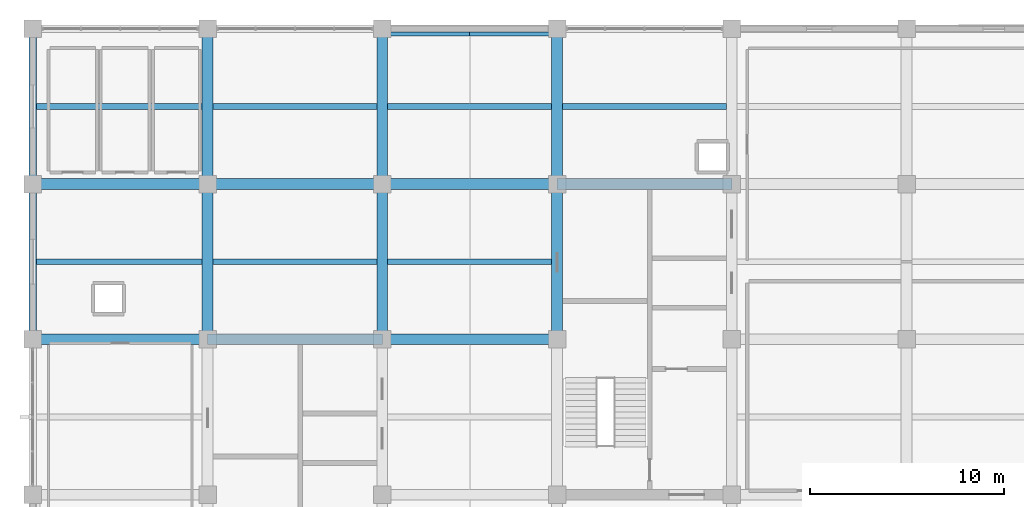
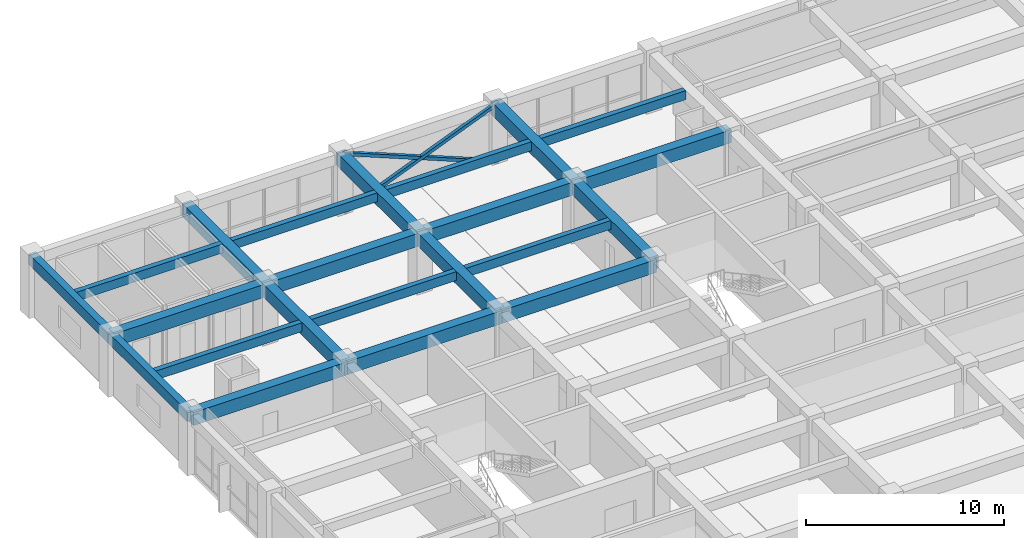
# One storey, part 8 of 16: 22 beams, 2 members.
"""IFC4 building model written with IfcOpenShell, lengths in metres."""

from ifc_helpers import new_model, si_unit, direction, frame, origin, origin_2d, place, context, subcontext, project, spatial, rectangle, hollow_rectangle, extrude, material, material_profile, profile_set, type_object, element, save


model = new_model("IFC4")

# Units and contexts
model_context = context("Model", 3, precision=1e-05, world=origin(), true_north=direction((0.0, 1.0)))
body_context = subcontext(model_context, "Body", "Model", "MODEL_VIEW")
ifc_project = project(units=[si_unit("LENGTHUNIT", "METRE"), si_unit("AREAUNIT", "SQUARE_METRE"), si_unit("VOLUMEUNIT", "CUBIC_METRE"), si_unit("PLANEANGLEUNIT", "RADIAN"), si_unit("MASSUNIT", "GRAM", prefix="KILO")], contexts=[model_context])

# Site, building, storey
site_placement = place(None, origin())
site = spatial("IfcSite", under=ifc_project, at=site_placement, CompositionType="ELEMENT")
building_placement = place(site_placement, origin())
building = spatial("IfcBuilding", under=site, at=building_placement, Name="Zaverband Oceanarium and Marine Research Institute", CompositionType="ELEMENT")
storey_placement = place(building_placement, frame((0.0, 0.0, 29.699951171875)))
storey = spatial("IfcBuildingStorey", under=building, at=storey_placement, Name="L07", CompositionType="ELEMENT", Elevation=29.699951171875)

# Beams
ifc_material_1 = material(Name="Concrete C40/50", Category="concrete")
ifc_material_profile_1 = material_profile(ifc_material_1, rectangle(XDim=0.550048828125, YDim=0.800048828125, at=origin_2d()), Name="RC550x800")
ifc_profile_set_1 = profile_set([ifc_material_profile_1], Name="Concrete C40/50")
beam_type_1 = type_object("IfcBeamType", Name="BM-550x800", PredefinedType="BEAM", material=ifc_profile_set_1)
for number, where, z_axis, x_axis, name in (
    (1, (9.0, 96.0, 3.25), (1.0, 0.0, 0.0), (0.0, 1.0, 0.0), "Primary floor girder BM-550x800"),
    (2, (18.0, 96.0, 3.25), (1.0, 0.0, 0.0), (0.0, 1.0, 0.0), "Primary floor girder BM-550x800"),
    (3, (27.0, 96.0, 3.25), (1.0, 0.0, 0.0), (0.0, 1.0, 0.0), "Primary floor girder BM-550x800"),
    (4, (9.0, 104.0, 3.25), (1.0, 0.0, 0.0), (0.0, 1.0, 0.0), "Primary floor girder BM-550x800"),
    (5, (18.0, 104.0, 3.25), (1.0, 0.0, 0.0), (0.0, 1.0, 0.0), "Primary floor girder BM-550x800"),
    (6, (27.0, 104.0, 3.25), (1.0, 0.0, 0.0), (0.0, 1.0, 0.0), "Primary floor girder BM-550x800"),
    (7, (36.0, 104.0, 3.25), (1.0, 0.0, 0.0), (0.0, 1.0, 0.0), "Primary floor girder BM-550x800"),
):
    element("IfcBeam", number, at=place(storey_placement, frame(where, z_axis=z_axis, x_axis=x_axis)), inside=storey, type_object=beam_type_1, Name=name, PredefinedType="BEAM", context=body_context, shape_type="SweptSolid", body=[
        extrude(rectangle(XDim=0.550048828125, YDim=0.800048828125, at=origin_2d()), origin(), (0.0, 0.0, 1.0), 9.0),
    ])
for number, where, z_axis, x_axis, name in (
    (8, (18.0, 96.0, 3.25), (0.0, 1.0, 0.0), (-1.0, 0.0, 0.0), "Primary floor girder BM-550x800"),
    (9, (18.0, 104.0, 3.25), (0.0, 1.0, 0.0), (-1.0, 0.0, 0.0), "Primary floor girder BM-550x800"),
    (10, (27.0, 96.0, 3.25), (0.0, 1.0, 0.0), (-1.0, 0.0, 0.0), "Primary floor girder BM-550x800"),
    (11, (27.0, 104.0, 3.25), (0.0, 1.0, 0.0), (-1.0, 0.0, 0.0), "Primary floor girder BM-550x800"),
    (12, (36.0, 96.0, 3.25), (0.0, 1.0, 0.0), (-1.0, 0.0, 0.0), "Primary floor girder BM-550x800"),
    (13, (36.0, 104.0, 3.25), (0.0, 1.0, 0.0), (-1.0, 0.0, 0.0), "Primary floor girder BM-550x800"),
):
    element("IfcBeam", number, at=place(storey_placement, frame(where, z_axis=z_axis, x_axis=x_axis)), inside=storey, type_object=beam_type_1, Name=name, PredefinedType="BEAM", context=body_context, shape_type="SweptSolid", body=[
        extrude(rectangle(XDim=0.550048828125, YDim=0.800048828125, at=origin_2d()), origin(), (0.0, 0.0, 1.0), 8.0),
    ])

# Members
ifc_material_2 = material(Name="Steel S355", Category="steel")
ifc_material_profile_2 = material_profile(ifc_material_2, hollow_rectangle(XDim=0.199951171875, YDim=0.199951171875, WallThickness=0.010009765625, at=origin_2d()), Name="SHS200x200x10")
ifc_profile_set_2 = profile_set([ifc_material_profile_2], Name="Steel S355")
member_type = type_object("IfcMemberType", Name="BR-03", PredefinedType="BRACE", material=ifc_profile_set_2)
for number, where, z_axis, x_axis, name in (
    (14, (27.0, 111.719970703125, 0.0), (0.92668556068, 0.0, 0.37583756016), (0.0, 1.0, 0.0), "Diagonal lateral brace BR-03"),
    (15, (36.0, 111.719970703125, 0.0), (-0.92668556068, 0.0, 0.37583756016), (0.0, -1.0, 0.0), "Diagonal lateral brace BR-03"),
):
    element("IfcMember", number, at=place(storey_placement, frame(where, z_axis=z_axis, x_axis=x_axis)), inside=storey, type_object=member_type, Name=name, PredefinedType="BRACE", context=body_context, shape_type="SweptSolid", body=[
        extrude(hollow_rectangle(XDim=0.199951171875, YDim=0.199951171875, WallThickness=0.010009765625, at=origin_2d()), origin(), (0.0, 0.0, 1.0), 9.7119140625),
    ])

# Beams
ifc_material_profile_3 = material_profile(ifc_material_1, rectangle(XDim=0.300048828125, YDim=0.550048828125, at=origin_2d()), Name="RC300x550")
ifc_profile_set_3 = profile_set([ifc_material_profile_3], Name="Concrete C40/50")
beam_type_2 = type_object("IfcBeamType", Name="JST-300x550", PredefinedType="JOIST", material=ifc_profile_set_3)
for number, where, z_axis, x_axis, name in (
    (16, (9.199951171875, 100.0, 3.375), (1.0, 0.0, 0.0), (0.0, 1.0, 0.0), "Secondary floor joist JST-300x550"),
    (17, (9.199951171875, 108.0, 3.375), (1.0, 0.0, 0.0), (0.0, 1.0, 0.0), "Secondary floor joist JST-300x550"),
):
    element("IfcBeam", number, at=place(storey_placement, frame(where, z_axis=z_axis, x_axis=x_axis)), inside=storey, type_object=beam_type_2, Name=name, PredefinedType="JOIST", context=body_context, shape_type="SweptSolid", body=[
        extrude(rectangle(XDim=0.300048828125, YDim=0.550048828125, at=origin_2d()), origin(), (0.0, 0.0, 1.0), 8.525146484375),
    ])
for number, where, z_axis, x_axis, name in (
    (18, (18.27490234375, 100.0, 3.375), (1.0, 0.0, 0.0), (0.0, 1.0, 0.0), "Secondary floor joist JST-300x550"),
    (19, (18.27490234375, 108.0, 3.375), (1.0, 0.0, 0.0), (0.0, 1.0, 0.0), "Secondary floor joist JST-300x550"),
    (20, (27.27490234375, 100.0, 3.375), (1.0, 0.0, 0.0), (0.0, 1.0, 0.0), "Secondary floor joist JST-300x550"),
    (21, (27.27490234375, 108.0, 3.375), (1.0, 0.0, 0.0), (0.0, 1.0, 0.0), "Secondary floor joist JST-300x550"),
    (22, (36.27490234375, 108.0, 3.375), (1.0, 0.0, 0.0), (0.0, 1.0, 0.0), "Secondary floor joist JST-300x550"),
):
    element("IfcBeam", number, at=place(storey_placement, frame(where, z_axis=z_axis, x_axis=x_axis)), inside=storey, type_object=beam_type_2, Name=name, PredefinedType="JOIST", context=body_context, shape_type="SweptSolid", body=[
        extrude(rectangle(XDim=0.300048828125, YDim=0.550048828125, at=origin_2d()), origin(), (0.0, 0.0, 1.0), 8.4501953125),
    ])
ifc_material_profile_4 = material_profile(ifc_material_1, rectangle(XDim=0.39990234375, YDim=0.64990234375, at=origin_2d()), Name="RC400x650")
ifc_profile_set_4 = profile_set([ifc_material_profile_4], Name="Concrete C40/50")
beam_type_3 = type_object("IfcBeamType", Name="SPN-400x650", PredefinedType="SPANDREL", material=ifc_profile_set_4)
for number, where, z_axis, x_axis, name in (
    (23, (9.0, 96.0, 3.324951171875), (0.0, 1.0, 0.0), (-1.0, 0.0, 0.0), "Perimeter spandrel beam SPN-400x650"),
    (24, (9.0, 104.0, 3.324951171875), (0.0, 1.0, 0.0), (-1.0, 0.0, 0.0), "Perimeter spandrel beam SPN-400x650"),
):
    element("IfcBeam", number, at=place(storey_placement, frame(where, z_axis=z_axis, x_axis=x_axis)), inside=storey, type_object=beam_type_3, Name=name, PredefinedType="SPANDREL", context=body_context, shape_type="SweptSolid", body=[
        extrude(rectangle(XDim=0.39990234375, YDim=0.64990234375, at=origin_2d()), origin(), (0.0, 0.0, 1.0), 8.0),
    ])

save(model, "model.ifc")
